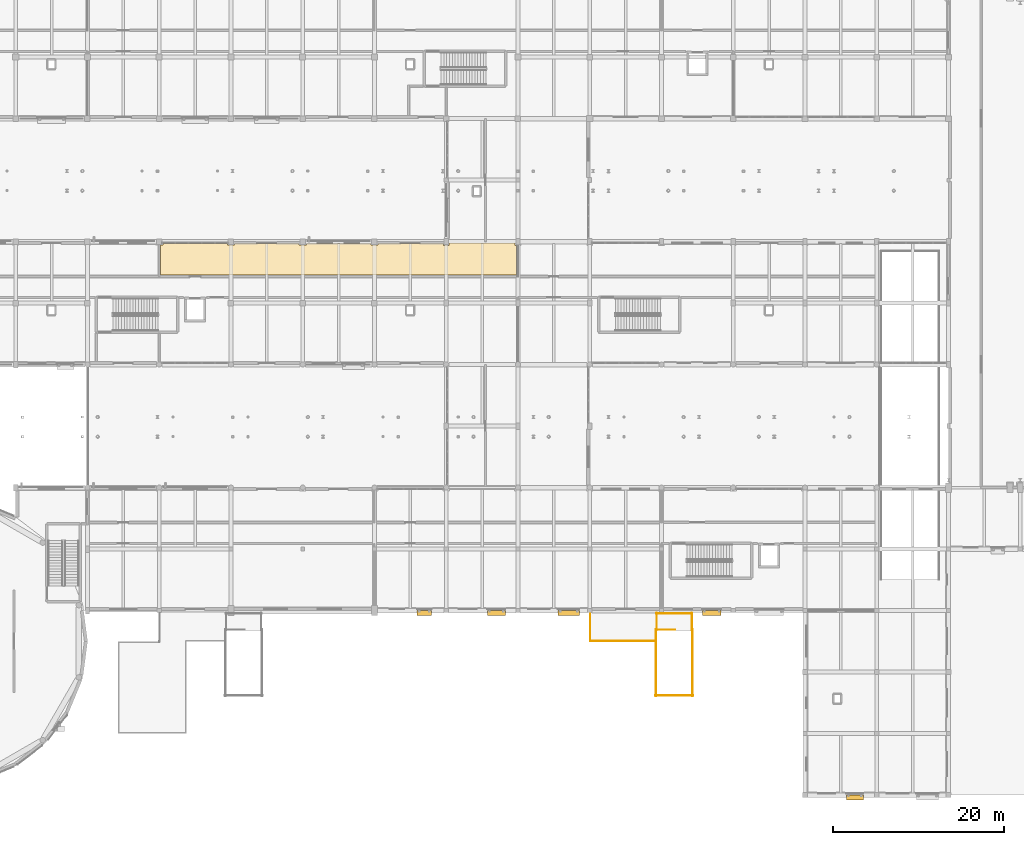
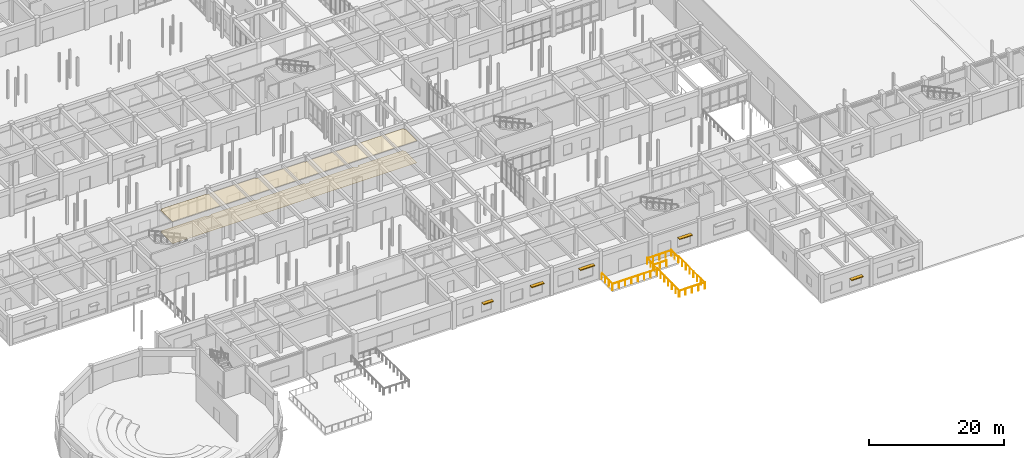
# One storey, part 102 of 121: 8 railings, 5 shading devices, 2 coverings.
"""IFC4 building model written with IfcOpenShell, lengths in metres."""

from ifc_helpers import new_model, si_unit, direction, frame, origin, origin_2d, place, context, subcontext, project, spatial, polyline, rectangle, circle, outline, extrude, material, layer, layer_set, type_object, element, save


model = new_model("IFC4")

# Units and contexts
model_context = context("Model", 3, precision=1e-05, world=origin(), true_north=direction((0.0, 1.0)))
body_context = subcontext(model_context, "Body", "Model", "MODEL_VIEW")
ifc_project = project(units=[si_unit("LENGTHUNIT", "METRE"), si_unit("AREAUNIT", "SQUARE_METRE"), si_unit("VOLUMEUNIT", "CUBIC_METRE"), si_unit("PLANEANGLEUNIT", "RADIAN"), si_unit("MASSUNIT", "GRAM", prefix="KILO")], contexts=[model_context])

# Site, building, storey
site_placement = place(None, origin())
site = spatial("IfcSite", under=ifc_project, at=site_placement, CompositionType="ELEMENT")
building_placement = place(site_placement, origin())
building = spatial("IfcBuilding", under=site, at=building_placement, Name="Malvenik Polytechnic", CompositionType="ELEMENT")
storey_placement = place(building_placement, origin())
storey = spatial("IfcBuildingStorey", under=building, at=storey_placement, Name="L00", CompositionType="ELEMENT", Elevation=0.0)

# Coverings
ifc_material_1 = material(Name="Perforated mineral-fibre acoustic suspended ceiling 600x600", Category="gypsum")
ifc_layer_1 = layer(ifc_material_1, 0.02490234375)
ifc_layer_set_1 = layer_set([ifc_layer_1], Name="Perforated mineral-fibre acoustic suspended ceiling 600x600")
covering_type_1 = type_object("IfcCoveringType", Name="ARC-COV-CEIL-AC", PredefinedType="CEILING", material=ifc_layer_set_1)
covering_1_placement = place(storey_placement, frame((0.0, 0.0, 3.93505859375)))
element("IfcCovering", 1, at=covering_1_placement, inside=storey, type_object=covering_type_1, Name="Acoustic Ceiling L00 Power Electronics Teaching Laboratory", PredefinedType="CEILING", context=body_context, shape_type="SweptSolid", body=[
    extrude(outline(polyline([(49.985107421875, 64.385009765625), (50.81494140625, 64.385009765625), (50.81494140625, 64.580078125), (58.385009765625, 64.580078125), (58.385009765625, 64.385009765625), (59.215087890625, 64.385009765625), (59.215087890625, 64.580078125), (66.784912109375, 64.580078125), (66.784912109375, 64.385009765625), (67.614990234375, 64.385009765625), (67.614990234375, 64.580078125), (75.260009765625, 64.580078125), (75.260009765625, 64.3349609375), (75.93994140625, 64.3349609375), (75.93994140625, 64.639892578125), (83.659912109375, 64.639892578125), (83.659912109375, 64.3349609375), (83.840087890625, 64.3349609375), (83.840087890625, 60.860107421875), (42.159912109375, 60.860107421875), (42.159912109375, 64.385009765625), (42.4150390625, 64.385009765625), (42.4150390625, 64.580078125), (49.985107421875, 64.580078125), (49.985107421875, 64.385009765625)])), origin(), (0.0, 0.0, 1.0), 0.02490234375),
])
ifc_material_2 = material(Name="Chemical-resistant seamless laboratory epoxy resin flooring 15mm", Category="plastic")
ifc_layer_2 = layer(ifc_material_2, 0.014892578125)
ifc_layer_set_2 = layer_set([ifc_layer_2], Name="Chemical-resistant seamless laboratory epoxy resin flooring 15mm")
covering_type_2 = type_object("IfcCoveringType", Name="ARC-COV-FLR-EPX", PredefinedType="FLOORING", material=ifc_layer_set_2)
covering_2_placement = place(storey_placement, origin())
element("IfcCovering", 2, at=covering_2_placement, inside=storey, type_object=covering_type_2, Name="Floor Finish FLR-02 L00 Power Electronics Teaching Laboratory", PredefinedType="FLOORING", context=body_context, shape_type="SweptSolid", body=[
    extrude(outline(polyline([(49.985107421875, 64.385009765625), (50.81494140625, 64.385009765625), (50.81494140625, 64.580078125), (58.385009765625, 64.580078125), (58.385009765625, 64.385009765625), (59.215087890625, 64.385009765625), (59.215087890625, 64.580078125), (66.784912109375, 64.580078125), (66.784912109375, 64.385009765625), (67.614990234375, 64.385009765625), (67.614990234375, 64.580078125), (75.260009765625, 64.580078125), (75.260009765625, 64.3349609375), (75.93994140625, 64.3349609375), (75.93994140625, 64.639892578125), (83.659912109375, 64.639892578125), (83.659912109375, 64.3349609375), (83.840087890625, 64.3349609375), (83.840087890625, 60.860107421875), (42.159912109375, 60.860107421875), (42.159912109375, 64.385009765625), (42.4150390625, 64.385009765625), (42.4150390625, 64.580078125), (49.985107421875, 64.580078125), (49.985107421875, 64.385009765625)])), origin(), (0.0, 0.0, 1.0), 0.014892578125),
])

# Railings
ifc_material_3 = material(Name="Galvanised powder-coated steel and laminated glass guard 1150mm", Category="steel")
ifc_layer_3 = layer(ifc_material_3, 0.070068359375)
ifc_layer_set_3 = layer_set([ifc_layer_3], Name="Galvanised powder-coated steel and laminated glass guard 1150mm")
railing_type_1 = type_object("IfcRailingType", Name="ARC-RL-BAL-1150", PredefinedType="BALUSTRADE", material=ifc_layer_set_3)
railing_1_placement = place(storey_placement, frame((100.0, 18.06005859375, 0.0)))
element("IfcRailing", 3, at=railing_1_placement, inside=storey, type_object=railing_type_1, Name="Terrace Perimeter Balustrade L00 #4", PredefinedType="BALUSTRADE", context=body_context, shape_type="SweptSolid", body=[
    extrude(circle(Radius=0.02392578125, at=origin_2d()), frame((0.0, 0.0, 1.1259765625), z_axis=(-1.0, 0.0, 0.0), x_axis=(0.0, -1.0, 0.0)), (0.0, 0.0, 1.0), 7.5400390625),
    extrude(circle(Radius=0.02392578125, at=origin_2d()), frame((-7.5400390625, 0.0, 1.1259765625), z_axis=(0.0, 1.0, 0.0), x_axis=(-1.0, 0.0, 0.0)), (0.0, 0.0, 1.0), 3.219970703125),
    extrude(circle(Radius=0.02099609375, at=origin_2d()), origin(), (0.0, 0.0, 1.0), 1.101806640625),
    extrude(circle(Radius=0.02099609375, at=origin_2d()), frame((-1.0771484375, 0.0, 0.0)), (0.0, 0.0, 1.0), 1.101806640625),
    extrude(circle(Radius=0.02099609375, at=origin_2d()), frame((-2.154296875, 0.0, 0.0)), (0.0, 0.0, 1.0), 1.101806640625),
    extrude(circle(Radius=0.02099609375, at=origin_2d()), frame((-3.2314453125, 0.0, 0.0)), (0.0, 0.0, 1.0), 1.101806640625),
    extrude(circle(Radius=0.02099609375, at=origin_2d()), frame((-4.30859375, 0.0, 0.0)), (0.0, 0.0, 1.0), 1.101806640625),
    extrude(circle(Radius=0.02099609375, at=origin_2d()), frame((-5.3857421875, 0.0, 0.0)), (0.0, 0.0, 1.0), 1.101806640625),
    extrude(circle(Radius=0.02099609375, at=origin_2d()), frame((-6.462890625, 0.0, 0.0)), (0.0, 0.0, 1.0), 1.101806640625),
    extrude(circle(Radius=0.02099609375, at=origin_2d()), frame((-7.5400390625, 0.0, 0.0)), (0.0, 0.0, 1.0), 1.101806640625),
    extrude(circle(Radius=0.02099609375, at=origin_2d()), frame((-7.5400390625, 1.0732421875, 0.0)), (0.0, 0.0, 1.0), 1.101806640625),
    extrude(circle(Radius=0.02099609375, at=origin_2d()), frame((-7.5400390625, 2.146728515625, 0.0)), (0.0, 0.0, 1.0), 1.101806640625),
    extrude(circle(Radius=0.02099609375, at=origin_2d()), frame((-7.5400390625, 3.219970703125, 0.0)), (0.0, 0.0, 1.0), 1.101806640625),
])
ifc_material_4 = material(Name="Painted galvanised steel stair well balustrade 1100mm", Category="steel")
ifc_layer_4 = layer(ifc_material_4, 0.050048828125)
ifc_layer_set_4 = layer_set([ifc_layer_4], Name="Painted galvanised steel stair well balustrade 1100mm")
railing_type_2 = type_object("IfcRailingType", Name="ARC-RL-STGD", PredefinedType="BALUSTRADE", material=ifc_layer_set_4)
railing_2_placement = place(storey_placement, frame((100.199951171875, 19.35009765625, 0.0)))
element("IfcRailing", 4, at=railing_2_placement, inside=storey, type_object=railing_type_2, Name="L00 ST-11 top well guard 1", PredefinedType="BALUSTRADE", context=body_context, shape_type="SweptSolid", body=[
    extrude(circle(Radius=0.02392578125, at=origin_2d()), frame((0.0, 0.0, 1.076171875), z_axis=(1.0, 0.0, 0.0), x_axis=(0.0, 1.0, 0.0)), (0.0, 0.0, 1.0), 2.199951171875),
    extrude(circle(Radius=0.02099609375, at=origin_2d()), origin(), (0.0, 0.0, 1.0), 1.052001953125),
    extrude(circle(Radius=0.02099609375, at=origin_2d()), frame((1.10009765625, 0.0, 0.0)), (0.0, 0.0, 1.0), 1.052001953125),
    extrude(circle(Radius=0.02099609375, at=origin_2d()), frame((2.199951171875, 0.0, 0.0)), (0.0, 0.0, 1.0), 1.052001953125),
])
for number, where, name in (
    (5, (100.14990234375, 19.39990234375, 0.0), "L00 ST-11 top well guard 2"),
    (6, (104.449951171875, 19.39990234375, 0.0), "L00 ST-11 top well guard 3"),
):
    element("IfcRailing", number, at=place(storey_placement, frame(where)), inside=storey, type_object=railing_type_2, Name=name, PredefinedType="BALUSTRADE", context=body_context, shape_type="SweptSolid", body=[
        extrude(circle(Radius=0.02392578125, at=origin_2d()), frame((0.0, 0.0, 1.076171875), z_axis=(0.0, -1.0, 0.0), x_axis=(1.0, 0.0, 0.0)), (0.0, 0.0, 1.0), 7.7998046875),
        extrude(circle(Radius=0.02099609375, at=origin_2d()), origin(), (0.0, 0.0, 1.0), 1.052001953125),
        extrude(circle(Radius=0.02099609375, at=origin_2d()), frame((0.0, -1.1142578125, 0.0)), (0.0, 0.0, 1.0), 1.052001953125),
        extrude(circle(Radius=0.02099609375, at=origin_2d()), frame((0.0, -2.228515625, 0.0)), (0.0, 0.0, 1.0), 1.052001953125),
        extrude(circle(Radius=0.02099609375, at=origin_2d()), frame((0.0, -3.3427734375, 0.0)), (0.0, 0.0, 1.0), 1.052001953125),
        extrude(circle(Radius=0.02099609375, at=origin_2d()), frame((0.0, -4.45703125, 0.0)), (0.0, 0.0, 1.0), 1.052001953125),
        extrude(circle(Radius=0.02099609375, at=origin_2d()), frame((0.0, -5.5712890625, 0.0)), (0.0, 0.0, 1.0), 1.052001953125),
        extrude(circle(Radius=0.02099609375, at=origin_2d()), frame((0.0, -6.685546875, 0.0)), (0.0, 0.0, 1.0), 1.052001953125),
        extrude(circle(Radius=0.02099609375, at=origin_2d()), frame((0.0, -7.7998046875, 0.0)), (0.0, 0.0, 1.0), 1.052001953125),
    ])
railing_3_placement = place(storey_placement, frame((100.10009765625, 11.64990234375, 0.0)))
element("IfcRailing", 7, at=railing_3_placement, inside=storey, type_object=railing_type_2, Name="L00 ST-11 top well guard 4", PredefinedType="BALUSTRADE", context=body_context, shape_type="SweptSolid", body=[
    extrude(circle(Radius=0.02392578125, at=origin_2d()), frame((0.0, 0.0, 1.076171875), z_axis=(1.0, 0.0, 0.0), x_axis=(0.0, 1.0, 0.0)), (0.0, 0.0, 1.0), 4.39990234375),
    extrude(circle(Radius=0.02099609375, at=origin_2d()), origin(), (0.0, 0.0, 1.0), 1.052001953125),
    extrude(circle(Radius=0.02099609375, at=origin_2d()), frame((1.10009765625, 0.0, 0.0)), (0.0, 0.0, 1.0), 1.052001953125),
    extrude(circle(Radius=0.02099609375, at=origin_2d()), frame((2.199951171875, 0.0, 0.0)), (0.0, 0.0, 1.0), 1.052001953125),
    extrude(circle(Radius=0.02099609375, at=origin_2d()), frame((3.2998046875, 0.0, 0.0)), (0.0, 0.0, 1.0), 1.052001953125),
    extrude(circle(Radius=0.02099609375, at=origin_2d()), frame((4.39990234375, 0.0, 0.0)), (0.0, 0.0, 1.0), 1.052001953125),
])
for number, where, name in (
    (8, (100.25, 21.300048828125, 0.0), "L00 ST-11 top well guard 5"),
    (9, (104.35009765625, 21.300048828125, 0.0), "L00 ST-11 top well guard 6"),
):
    element("IfcRailing", number, at=place(storey_placement, frame(where)), inside=storey, type_object=railing_type_2, Name=name, PredefinedType="BALUSTRADE", context=body_context, shape_type="SweptSolid", body=[
        extrude(circle(Radius=0.02392578125, at=origin_2d()), frame((0.0, 0.0, 1.076171875), z_axis=(0.0, -1.0, 0.0), x_axis=(1.0, 0.0, 0.0)), (0.0, 0.0, 1.0), 2.0),
        extrude(circle(Radius=0.02099609375, at=origin_2d()), origin(), (0.0, 0.0, 1.0), 1.052001953125),
        extrude(circle(Radius=0.02099609375, at=origin_2d()), frame((0.0, -1.0, 0.0)), (0.0, 0.0, 1.0), 1.052001953125),
        extrude(circle(Radius=0.02099609375, at=origin_2d()), frame((0.0, -2.0, 0.0)), (0.0, 0.0, 1.0), 1.052001953125),
    ])
railing_4_placement = place(storey_placement, frame((100.199951171875, 21.25, 0.0)))
element("IfcRailing", 10, at=railing_4_placement, inside=storey, type_object=railing_type_2, Name="L00 ST-11 top well guard 7", PredefinedType="BALUSTRADE", context=body_context, shape_type="SweptSolid", body=[
    extrude(circle(Radius=0.02392578125, at=origin_2d()), frame((0.0, 0.0, 1.076171875), z_axis=(1.0, 0.0, 0.0), x_axis=(0.0, 1.0, 0.0)), (0.0, 0.0, 1.0), 4.199951171875),
    extrude(circle(Radius=0.02099609375, at=origin_2d()), origin(), (0.0, 0.0, 1.0), 1.052001953125),
    extrude(circle(Radius=0.02099609375, at=origin_2d()), frame((1.050048828125, 0.0, 0.0)), (0.0, 0.0, 1.0), 1.052001953125),
    extrude(circle(Radius=0.02099609375, at=origin_2d()), frame((2.10009765625, 0.0, 0.0)), (0.0, 0.0, 1.0), 1.052001953125),
    extrude(circle(Radius=0.02099609375, at=origin_2d()), frame((3.14990234375, 0.0, 0.0)), (0.0, 0.0, 1.0), 1.052001953125),
    extrude(circle(Radius=0.02099609375, at=origin_2d()), frame((4.199951171875, 0.0, 0.0)), (0.0, 0.0, 1.0), 1.052001953125),
])

# Shading devices
ifc_material_5 = material(Name="Extruded anodised aluminium solar brise-soleil louvre", Category="aluminium")
shading_device_type = type_object("IfcShadingDeviceType", Name="ARC-SHD-LOUVRE", PredefinedType="JALOUSIE", material=ifc_material_5)
shading_device_1_placement = place(storey_placement, frame((123.4423828125, -0.300048828125, 2.4599609375), z_axis=(0.0, 0.0, 1.0), x_axis=(1.0, 0.0, 0.0)))
element("IfcShadingDevice", 11, at=shading_device_1_placement, inside=storey, type_object=shading_device_type, Name="Solar Brise-Soleil Louvre SH-01 #19", PredefinedType="JALOUSIE", context=body_context, shape_type="SweptSolid", body=[
    extrude(rectangle(XDim=2.0, YDim=0.60009765625, at=origin_2d()), origin(), (0.0, 0.0, 1.0), 0.139892578125),
])
shading_device_2_placement = place(storey_placement, frame((106.68408203125, 21.300048828125, 2.66015625), z_axis=(0.0, 0.0, 1.0), x_axis=(1.0, 0.0, 0.0)))
element("IfcShadingDevice", 12, at=shading_device_2_placement, inside=storey, type_object=shading_device_type, Name="Solar Brise-Soleil Louvre SH-01 #21", PredefinedType="JALOUSIE", context=body_context, shape_type="SweptSolid", body=[
    extrude(rectangle(XDim=2.199951171875, YDim=0.60009765625, at=origin_2d()), origin(), (0.0, 0.0, 1.0), 0.139892578125),
])
shading_device_3_placement = place(storey_placement, frame((89.93408203125, 21.300048828125, 3.01025390625), z_axis=(0.0, 0.0, 1.0), x_axis=(1.0, 0.0, 0.0)))
element("IfcShadingDevice", 13, at=shading_device_3_placement, inside=storey, type_object=shading_device_type, Name="Solar Brise-Soleil Louvre SH-01 #22", PredefinedType="JALOUSIE", context=body_context, shape_type="SweptSolid", body=[
    extrude(rectangle(XDim=2.5, YDim=0.60009765625, at=origin_2d()), origin(), (0.0, 0.0, 1.0), 0.139892578125),
])
shading_device_4_placement = place(storey_placement, frame((81.46728515625, 21.300048828125, 2.81005859375), z_axis=(0.0, 0.0, 1.0), x_axis=(1.0, 0.0, 0.0)))
element("IfcShadingDevice", 14, at=shading_device_4_placement, inside=storey, type_object=shading_device_type, Name="Solar Brise-Soleil Louvre SH-01 #23", PredefinedType="JALOUSIE", context=body_context, shape_type="SweptSolid", body=[
    extrude(rectangle(XDim=2.10009765625, YDim=0.60009765625, at=origin_2d()), origin(), (0.0, 0.0, 1.0), 0.139892578125),
])
shading_device_5_placement = place(storey_placement, frame((73.033935546875, 21.300048828125, 2.60986328125), z_axis=(0.0, 0.0, 1.0), x_axis=(1.0, 0.0, 0.0)))
element("IfcShadingDevice", 15, at=shading_device_5_placement, inside=storey, type_object=shading_device_type, Name="Solar Brise-Soleil Louvre SH-01 #24", PredefinedType="JALOUSIE", context=body_context, shape_type="SweptSolid", body=[
    extrude(rectangle(XDim=1.699951171875, YDim=0.60009765625, at=origin_2d()), origin(), (0.0, 0.0, 1.0), 0.139892578125),
])

save(model, "model.ifc")
